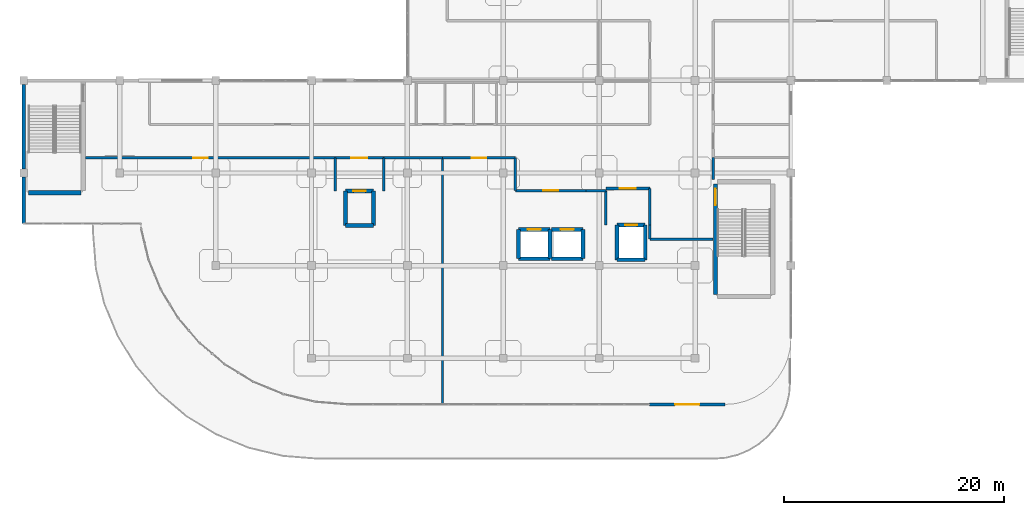
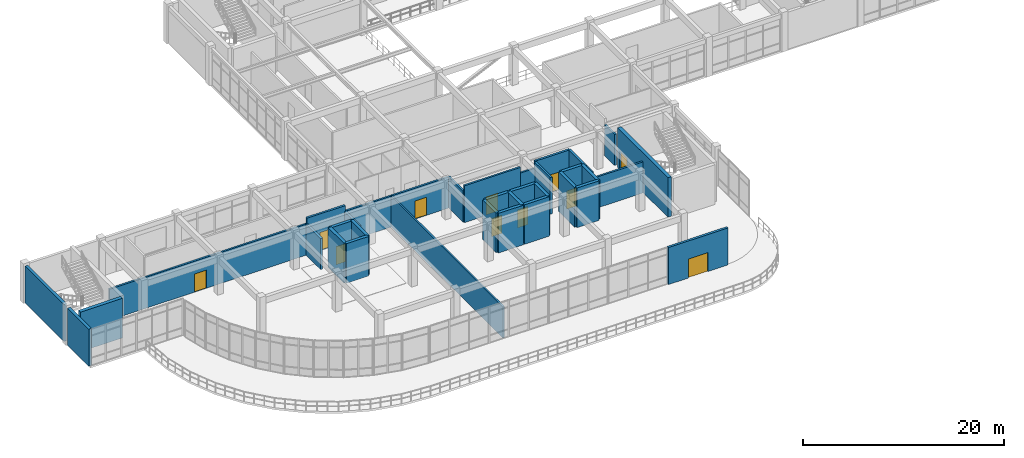
# One storey, part 60 of 76: 36 walls, 11 doors, 11 openings.
"""IFC4 building model written with IfcOpenShell, lengths in metres."""

from ifc_helpers import new_model, si_unit, derived_unit, direction, frame, frame_2d, origin, place, context, subcontext, project, spatial, rectangle, extrude, material, layer, layer_set, type_object, element, fill, save


model = new_model("IFC4")

# Units and contexts
model_context = context("Model", 3, precision=1e-05, world=origin(), true_north=direction((0.0, 1.0)))
body_context = subcontext(model_context, "Body", "Model", "MODEL_VIEW")
ifc_project = project(units=[si_unit("LENGTHUNIT", "METRE"), si_unit("AREAUNIT", "SQUARE_METRE"), si_unit("VOLUMEUNIT", "CUBIC_METRE"), si_unit("PLANEANGLEUNIT", "RADIAN"), si_unit("MASSUNIT", "GRAM", prefix="KILO"), derived_unit("THERMALTRANSMITTANCEUNIT", [(si_unit("MASSUNIT", "GRAM", prefix="KILO"), 1), (si_unit("TIMEUNIT", "SECOND"), -3), (si_unit("THERMODYNAMICTEMPERATUREUNIT", "KELVIN"), -1)])], contexts=[model_context])

# Site, building, storey
site_placement = place(None, origin())
site = spatial("IfcSite", under=ifc_project, at=site_placement, CompositionType="ELEMENT")
building_placement = place(site_placement, origin())
building = spatial("IfcBuilding", under=site, at=building_placement, Name="Qinzheling Arcade Emporium", CompositionType="ELEMENT")
storey_placement = place(building_placement, frame((0.0, 0.0, 26.699951171875)))
storey = spatial("IfcBuildingStorey", under=building, at=storey_placement, Name="L06", CompositionType="ELEMENT", Elevation=26.699951171875)

# Wall, opening, door
ifc_material_1 = material(Name="Double-stud acoustic gypsum board partition")
ifc_layer_1 = layer(ifc_material_1, 0.215087890625, Name="Double-stud acoustic gypsum board partition")
ifc_layer_set_1 = layer_set([ifc_layer_1], Name="Double-stud acoustic gypsum board partition")
wall_type_1 = type_object("IfcWallType", Name="Acoustic Corridor Partition Wall 215", PredefinedType="PARTITIONING", material=ifc_layer_set_1)
wall_1_placement = place(storey_placement, frame((44.60009765625, 32.0, 0.0), z_axis=(0.0, 0.0, 1.0), x_axis=(1.0, 0.0, 0.0)))
wall_1 = element("IfcWall", 1, at=wall_1_placement, inside=storey, type_object=wall_type_1, Name="Interior Wall WL-L06-INT-0798", PredefinedType="PARTITIONING", context=body_context, shape_type="SweptSolid", body=[
    extrude(rectangle(XDim=6.39990234375, YDim=0.215087890625, at=frame_2d((3.199951171875, 0.0))), origin(), (0.0, 0.0, 1.0), 4.4599609375),
])
opening_1_placement = place(wall_1_placement, frame((2.52490234375, 0.0, 0.0)))
opening_1 = element("IfcOpeningElement", 2, at=opening_1_placement, cuts=wall_1, Name="Opening FD05", PredefinedType="OPENING", context=body_context, shape_type="SweptSolid", body=[
    extrude(rectangle(XDim=1.35009765625, YDim=2.199951171875, at=frame_2d((0.675048828125, 1.10009765625))), frame((0.0, 0.11767578125, 0.0), z_axis=(0.0, -1.0, 0.0), x_axis=(1.0, 0.0, 0.0)), (0.0, 0.0, 1.0), 0.235107421875),
])
ifc_material_2 = material(Name="Class B fire-rated stainless-clad door")
door_type_1 = type_object("IfcDoorType", Name="Kitchen Fire-Rated Service Door 1350x2200", OperationType="NOTDEFINED", PredefinedType="DOOR", material=ifc_material_2)
door_1_placement = place(opening_1_placement, origin())
door_1 = element("IfcDoor", 3, at=door_1_placement, inside=storey, type_object=door_type_1, Name="FD05 Interior Door DR-L06-INT-0229", OperationType="SINGLE_SWING_LEFT", OverallHeight=2.199951171875, OverallWidth=1.35009765625, PredefinedType="DOOR", context=body_context, shape_type="SweptSolid", body=[
    extrude(rectangle(XDim=1.35009765625, YDim=2.199951171875, at=frame_2d((0.675048828125, 1.10009765625))), frame((0.0, 0.02490234375, 0.0), z_axis=(0.0, -1.0, 0.0), x_axis=(1.0, 0.0, 0.0)), (0.0, 0.0, 1.0), 0.050048828125),
])
fill(opening_1, door_1)

wall_2_placement = place(storey_placement, frame((28.25, 34.97998046875, 0.0), z_axis=(0.0, 0.0, 1.0), x_axis=(-1.0, 0.0, 0.0)))
wall_2 = element("IfcWall", 4, at=wall_2_placement, inside=storey, type_object=wall_type_1, Name="Interior Wall WL-L06-INT-0833", PredefinedType="PARTITIONING", context=body_context, shape_type="SweptSolid", body=[
    extrude(rectangle(XDim=22.655029296875, YDim=0.215087890625, at=frame_2d((11.32763671875, 0.0))), origin(), (0.0, 0.0, 1.0), 3.760009765625),
])
opening_2_placement = place(wall_2_placement, frame((11.552978515625, 0.0, 0.0)))
opening_2 = element("IfcOpeningElement", 5, at=opening_2_placement, cuts=wall_2, Name="Opening FD05", PredefinedType="OPENING", context=body_context, shape_type="SweptSolid", body=[
    extrude(rectangle(XDim=1.35009765625, YDim=2.199951171875, at=frame_2d((0.675048828125, 1.10009765625))), frame((0.0, 0.11767578125, 0.0), z_axis=(0.0, -1.0, 0.0), x_axis=(1.0, 0.0, 0.0)), (0.0, 0.0, 1.0), 0.235107421875),
])
door_2_placement = place(opening_2_placement, origin())
door_2 = element("IfcDoor", 6, at=door_2_placement, inside=storey, type_object=door_type_1, Name="FD05 Interior Door DR-L06-INT-0239", OperationType="SINGLE_SWING_LEFT", OverallHeight=2.199951171875, OverallWidth=1.35009765625, PredefinedType="DOOR", context=body_context, shape_type="SweptSolid", body=[
    extrude(rectangle(XDim=1.35009765625, YDim=2.199951171875, at=frame_2d((0.675048828125, 1.10009765625))), frame((0.0, 0.02490234375, 0.0), z_axis=(0.0, -1.0, 0.0), x_axis=(1.0, 0.0, 0.0)), (0.0, 0.0, 1.0), 0.050048828125),
])
fill(opening_2, door_2)

# Walls
wall_3_placement = place(storey_placement, frame((38.0, 34.97998046875, 0.0), z_axis=(0.0, 0.0, 1.0), x_axis=(-1.0, 0.0, 0.0)))
element("IfcWall", 7, at=wall_3_placement, inside=storey, type_object=wall_type_1, Name="Interior Wall WL-L06-INT-0834", PredefinedType="PARTITIONING", context=body_context, shape_type="SweptSolid", body=[
    extrude(rectangle(XDim=5.35009765625, YDim=0.215087890625, at=frame_2d((2.675048828125, 0.0))), origin(), (0.0, 0.0, 1.0), 3.760009765625),
])
wall_4_placement = place(storey_placement, frame((44.60009765625, 32.0, 0.0), z_axis=(0.0, 0.0, 1.0), x_axis=(0.0, 1.0, 0.0)))
element("IfcWall", 8, at=wall_4_placement, inside=storey, type_object=wall_type_1, Name="Interior Wall WL-L06-INT-0835", PredefinedType="PARTITIONING", context=body_context, shape_type="SweptSolid", body=[
    extrude(rectangle(XDim=2.97998046875, YDim=0.215087890625, at=frame_2d((1.489990234375, 0.0))), origin(), (0.0, 0.0, 1.0), 3.760009765625),
])

# Wall, opening, door
wall_5_placement = place(storey_placement, frame((44.60009765625, 34.97998046875, 0.0), z_axis=(0.0, 0.0, 1.0), x_axis=(-1.0, 0.0, 0.0)))
wall_5 = element("IfcWall", 9, at=wall_5_placement, inside=storey, type_object=wall_type_1, Name="Interior Wall WL-L06-INT-0836", PredefinedType="PARTITIONING", context=body_context, shape_type="SweptSolid", body=[
    extrude(rectangle(XDim=6.60009765625, YDim=0.215087890625, at=frame_2d((3.300048828125, 0.0))), origin(), (0.0, 0.0, 1.0), 3.760009765625),
])
opening_3_placement = place(wall_5_placement, frame((2.625, 0.0, 0.0)))
opening_3 = element("IfcOpeningElement", 10, at=opening_3_placement, cuts=wall_5, Name="Opening FD05", PredefinedType="OPENING", context=body_context, shape_type="SweptSolid", body=[
    extrude(rectangle(XDim=1.35009765625, YDim=2.199951171875, at=frame_2d((0.675048828125, 1.10009765625))), frame((0.0, 0.11767578125, 0.0), z_axis=(0.0, -1.0, 0.0), x_axis=(1.0, 0.0, 0.0)), (0.0, 0.0, 1.0), 0.235107421875),
])
door_3_placement = place(opening_3_placement, origin())
door_3 = element("IfcDoor", 11, at=door_3_placement, inside=storey, type_object=door_type_1, Name="FD05 Interior Door DR-L06-INT-0240", OperationType="SINGLE_SWING_RIGHT", OverallHeight=2.199951171875, OverallWidth=1.35009765625, PredefinedType="DOOR", context=body_context, shape_type="SweptSolid", body=[
    extrude(rectangle(XDim=1.35009765625, YDim=2.199951171875, at=frame_2d((0.675048828125, 1.10009765625))), frame((0.0, 0.02490234375, 0.0), z_axis=(0.0, -1.0, 0.0), x_axis=(1.0, 0.0, 0.0)), (0.0, 0.0, 1.0), 0.050048828125),
])
fill(opening_3, door_3)

# Walls
wall_6_placement = place(storey_placement, frame((52.800048828125, 32.0, 0.0), z_axis=(0.0, 0.0, 1.0), x_axis=(-1.0, 0.0, 0.0)))
element("IfcWall", 12, at=wall_6_placement, inside=storey, type_object=wall_type_1, Name="Interior Wall WL-L06-INT-0837", PredefinedType="PARTITIONING", context=body_context, shape_type="SweptSolid", body=[
    extrude(rectangle(XDim=1.800048828125, YDim=0.215087890625, at=frame_2d((0.89990234375, 0.0))), origin(), (0.0, 0.0, 1.0), 3.760009765625),
])
wall_7_placement = place(storey_placement, frame((62.544921875, 27.60009765625, 0.0), z_axis=(0.0, 0.0, 1.0), x_axis=(-1.0, 0.0, 0.0)))
element("IfcWall", 13, at=wall_7_placement, inside=storey, type_object=wall_type_1, Name="Interior Wall WL-L06-INT-0838", PredefinedType="PARTITIONING", context=body_context, shape_type="SweptSolid", body=[
    extrude(rectangle(XDim=5.744873046875, YDim=0.215087890625, at=frame_2d((2.87255859375, 0.0))), origin(), (0.0, 0.0, 1.0), 3.760009765625),
])
wall_8_placement = place(storey_placement, frame((56.800048828125, 27.60009765625, 0.0), z_axis=(0.0, 0.0, 1.0), x_axis=(0.0, 1.0, 0.0)))
element("IfcWall", 14, at=wall_8_placement, inside=storey, type_object=wall_type_1, Name="Interior Wall WL-L06-INT-0839", PredefinedType="PARTITIONING", context=body_context, shape_type="SweptSolid", body=[
    extrude(rectangle(XDim=1.27978515625, YDim=0.215087890625, at=frame_2d((0.639892578125, 0.0))), origin(), (0.0, 0.0, 1.0), 4.4599609375),
])
wall_9_placement = place(storey_placement, frame((62.550048828125, 35.0, 0.0), z_axis=(0.0, 0.0, 1.0), x_axis=(0.0, -1.0, 0.0)))
element("IfcWall", 15, at=wall_9_placement, inside=storey, type_object=wall_type_1, Name="Interior Wall WL-L06-INT-0840", PredefinedType="PARTITIONING", context=body_context, shape_type="SweptSolid", body=[
    extrude(rectangle(XDim=2.0, YDim=0.215087890625, at=frame_2d((1.0, 0.0))), origin(), (0.0, 0.0, 1.0), 3.760009765625),
])

# Wall, opening, door
ifc_material_3 = material(Name="Insulated aluminium-clad spandrel wall", Category="aluminium")
ifc_layer_2 = layer(ifc_material_3, 0.260009765625, Name="Insulated aluminium-clad spandrel wall", Category="aluminium")
ifc_layer_set_2 = layer_set([ifc_layer_2], Name="Insulated aluminium-clad spandrel wall")
wall_type_2 = type_object("IfcWallType", Name="Arcade Clerestory Spandrel Wall 260", PredefinedType="STANDARD", material=ifc_layer_set_2)
wall_10_placement = place(storey_placement, frame((63.60009765625, 12.60009765625, 0.0), z_axis=(0.0, 0.0, 1.0), x_axis=(-1.0, 0.0, 0.0)))
wall_10 = element("IfcWall", 16, at=wall_10_placement, inside=storey, type_object=wall_type_2, Name="Exterior Wall WL-L06-EW-0302", PredefinedType="STANDARD", context=body_context, shape_type="SweptSolid", body=[
    extrude(rectangle(XDim=6.838134765625, YDim=0.260009765625, at=frame_2d((3.4189453125, 0.0))), origin(), (0.0, 0.0, 1.0), 4.489990234375),
])
opening_4_placement = place(wall_10_placement, frame((2.319091796875, 0.0, 0.0)))
opening_4 = element("IfcOpeningElement", 17, at=opening_4_placement, cuts=wall_10, Name="Opening TD01", PredefinedType="OPENING", context=body_context, shape_type="SweptSolid", body=[
    extrude(rectangle(XDim=2.199951171875, YDim=2.300048828125, at=frame_2d((1.10009765625, 1.14990234375))), frame((0.0, 0.14013671875, 0.0), z_axis=(0.0, -1.0, 0.0), x_axis=(1.0, 0.0, 0.0)), (0.0, 0.0, 1.0), 0.280029296875),
])
ifc_material_4 = material(Name="Thermally broken aluminium and double glass", Category="aluminium")
door_type_2 = type_object("IfcDoorType", Name="Curved Sales Terrace Double Door 2200x2300", OperationType="DOUBLE_DOOR_SINGLE_SWING", PredefinedType="DOOR", material=ifc_material_4)
door_4_placement = place(opening_4_placement, origin())
door_4 = element("IfcDoor", 18, at=door_4_placement, inside=storey, type_object=door_type_2, Name="TD01 Exterior Door DR-L06-EXT-039", OperationType="DOUBLE_DOOR_SINGLE_SWING", OverallHeight=2.300048828125, OverallWidth=2.199951171875, PredefinedType="DOOR", context=body_context, shape_type="SweptSolid", body=[
    extrude(rectangle(XDim=2.199951171875, YDim=2.300048828125, at=frame_2d((1.10009765625, 1.14990234375))), frame((0.0, 0.02490234375, 0.0), z_axis=(0.0, -1.0, 0.0), x_axis=(1.0, 0.0, 0.0)), (0.0, 0.0, 1.0), 0.050048828125),
])
fill(opening_4, door_4)

# Walls
ifc_material_5 = material(Name="Celadon glazed terracotta insulated spandrel", Category="masonry")
ifc_layer_3 = layer(ifc_material_5, 0.340087890625, Name="Celadon glazed terracotta insulated spandrel", Category="masonry")
ifc_layer_set_3 = layer_set([ifc_layer_3], Name="Celadon glazed terracotta insulated spandrel")
wall_type_3 = type_object("IfcWallType", Name="Celadon Spandrel Infill Wall 340", PredefinedType="STANDARD", material=ifc_layer_set_3)
wall_11_placement = place(storey_placement, frame((0.0, 29.0, 0.0), z_axis=(0.0, 0.0, 1.0), x_axis=(0.0, 1.0, 0.0)))
element("IfcWall", 19, at=wall_11_placement, inside=storey, type_object=wall_type_3, Name="Exterior Wall WL-L06-EW-0303", PredefinedType="STANDARD", context=body_context, shape_type="SweptSolid", body=[
    extrude(rectangle(XDim=4.248046875, YDim=0.340087890625, at=frame_2d((2.1240234375, 0.0))), origin(), (0.0, 0.0, 1.0), 4.489990234375),
])
ifc_material_6 = material(Name="Glazed cream terracotta insulated wall", Category="masonry")
ifc_layer_4 = layer(ifc_material_6, 0.320068359375, Name="Glazed cream terracotta insulated wall", Category="masonry")
ifc_layer_set_4 = layer_set([ifc_layer_4], Name="Glazed cream terracotta insulated wall")
wall_type_4 = type_object("IfcWallType", Name="Chicago Frame Infill Wall 320", PredefinedType="STANDARD", material=ifc_layer_set_4)
wall_12_placement = place(storey_placement, frame((0.0, 33.951904296875, 0.0), z_axis=(0.0, 0.0, 1.0), x_axis=(0.0, 1.0, 0.0)))
element("IfcWall", 20, at=wall_12_placement, inside=storey, type_object=wall_type_4, Name="Exterior Wall WL-L06-EW-0304", PredefinedType="STANDARD", context=body_context, shape_type="SweptSolid", body=[
    extrude(rectangle(XDim=7.696044921875, YDim=0.320068359375, at=frame_2d((3.84814453125, 0.0))), origin(), (0.0, 0.0, 1.0), 4.489990234375),
])

# Wall, opening, door
ifc_material_7 = material(Name="Fire-rated double-stud gypsum and mineral wool wall")
ifc_layer_5 = layer(ifc_material_7, 0.2451171875, Name="Fire-rated double-stud gypsum and mineral wool wall")
ifc_layer_set_5 = layer_set([ifc_layer_5], Name="Fire-rated double-stud gypsum and mineral wool wall")
wall_type_5 = type_object("IfcWallType", Name="Firefighting Lobby Rated Wall 245", PredefinedType="STANDARD", material=ifc_layer_set_5)
wall_13_placement = place(storey_placement, frame((52.800048828125, 32.199951171875, 0.0), z_axis=(0.0, 0.0, 1.0), x_axis=(1.0, 0.0, 0.0)))
wall_13 = element("IfcWall", 21, at=wall_13_placement, inside=storey, type_object=wall_type_5, Name="Interior Wall WL-L06-INT-0789", PredefinedType="STANDARD", context=body_context, shape_type="SweptSolid", body=[
    extrude(rectangle(XDim=4.0, YDim=0.2451171875, at=frame_2d((2.0, 0.0))), origin(), (0.0, 0.0, 1.0), 4.4599609375),
])
opening_5_placement = place(wall_13_placement, frame((1.27490234375, 0.0, 0.0)))
opening_5 = element("IfcOpeningElement", 22, at=opening_5_placement, cuts=wall_13, Name="Opening FD02", PredefinedType="OPENING", context=body_context, shape_type="SweptSolid", body=[
    extrude(rectangle(XDim=1.449951171875, YDim=2.199951171875, at=frame_2d((0.72509765625, 1.10009765625))), frame((0.0, 0.132568359375, 0.0), z_axis=(0.0, -1.0, 0.0), x_axis=(1.0, 0.0, 0.0)), (0.0, 0.0, 1.0), 0.26513671875),
])
ifc_material_8 = material(Name="Class A fire-rated steel double door", Category="steel")
door_type_3 = type_object("IfcDoorType", Name="Firefighting Lobby Fire Door 1450x2200", OperationType="DOUBLE_DOOR_SINGLE_SWING", PredefinedType="DOOR", material=ifc_material_8)
door_5_placement = place(opening_5_placement, origin())
door_5 = element("IfcDoor", 23, at=door_5_placement, inside=storey, type_object=door_type_3, Name="FD02 Interior Door DR-L06-INT-0226", OperationType="DOUBLE_DOOR_SINGLE_SWING", OverallHeight=2.199951171875, OverallWidth=1.449951171875, PredefinedType="DOOR", context=body_context, shape_type="SweptSolid", body=[
    extrude(rectangle(XDim=1.449951171875, YDim=2.199951171875, at=frame_2d((0.72509765625, 1.10009765625))), frame((0.0, 0.02490234375, 0.0), z_axis=(0.0, -1.0, 0.0), x_axis=(1.0, 0.0, 0.0)), (0.0, 0.0, 1.0), 0.050048828125),
])
fill(opening_5, door_5)

# Walls
wall_14_placement = place(storey_placement, frame((56.800048828125, 32.199951171875, 0.0), z_axis=(0.0, 0.0, 1.0), x_axis=(0.0, -1.0, 0.0)))
element("IfcWall", 24, at=wall_14_placement, inside=storey, type_object=wall_type_5, Name="Interior Wall WL-L06-INT-0790", PredefinedType="STANDARD", context=body_context, shape_type="SweptSolid", body=[
    extrude(rectangle(XDim=3.320068359375, YDim=0.2451171875, at=frame_2d((1.66015625, 0.0))), origin(), (0.0, 0.0, 1.0), 4.4599609375),
])
wall_15_placement = place(storey_placement, frame((52.800048828125, 28.8798828125, 0.0), z_axis=(0.0, 0.0, 1.0), x_axis=(0.0, 1.0, 0.0)))
element("IfcWall", 25, at=wall_15_placement, inside=storey, type_object=wall_type_5, Name="Interior Wall WL-L06-INT-0791", PredefinedType="STANDARD", context=body_context, shape_type="SweptSolid", body=[
    extrude(rectangle(XDim=3.1201171875, YDim=0.2451171875, at=frame_2d((1.56005859375, 0.0))), origin(), (0.0, 0.0, 1.0), 4.4599609375),
])

# Wall, opening, door
wall_16_placement = place(storey_placement, frame((28.25, 34.97998046875, 0.0), z_axis=(0.0, 0.0, 1.0), x_axis=(1.0, 0.0, 0.0)))
wall_16 = element("IfcWall", 26, at=wall_16_placement, inside=storey, type_object=wall_type_5, Name="Interior Wall WL-L06-INT-0792", PredefinedType="STANDARD", context=body_context, shape_type="SweptSolid", body=[
    extrude(rectangle(XDim=4.39990234375, YDim=0.2451171875, at=frame_2d((2.199951171875, 0.0))), origin(), (0.0, 0.0, 1.0), 4.4599609375),
])
opening_6_placement = place(wall_16_placement, frame((1.47509765625, 0.0, 0.0)))
opening_6 = element("IfcOpeningElement", 27, at=opening_6_placement, cuts=wall_16, Name="Opening FD02", PredefinedType="OPENING", context=body_context, shape_type="SweptSolid", body=[
    extrude(rectangle(XDim=1.449951171875, YDim=2.199951171875, at=frame_2d((0.72509765625, 1.10009765625))), frame((0.0, 0.132568359375, 0.0), z_axis=(0.0, -1.0, 0.0), x_axis=(1.0, 0.0, 0.0)), (0.0, 0.0, 1.0), 0.26513671875),
])
door_6_placement = place(opening_6_placement, origin())
door_6 = element("IfcDoor", 28, at=door_6_placement, inside=storey, type_object=door_type_3, Name="FD02 Interior Door DR-L06-INT-0227", OperationType="DOUBLE_DOOR_SINGLE_SWING", OverallHeight=2.199951171875, OverallWidth=1.449951171875, PredefinedType="DOOR", context=body_context, shape_type="SweptSolid", body=[
    extrude(rectangle(XDim=1.449951171875, YDim=2.199951171875, at=frame_2d((0.72509765625, 1.10009765625))), frame((0.0, 0.02490234375, 0.0), z_axis=(0.0, -1.0, 0.0), x_axis=(1.0, 0.0, 0.0)), (0.0, 0.0, 1.0), 0.050048828125),
])
fill(opening_6, door_6)

# Walls
for number, where, z_axis, x_axis, name in (
    (29, (28.25, 31.97998046875, 0.0), (0.0, 0.0, 1.0), (0.0, 1.0, 0.0), "Interior Wall WL-L06-INT-0793"),
    (30, (32.64990234375, 34.97998046875, 0.0), (0.0, 0.0, 1.0), (0.0, -1.0, 0.0), "Interior Wall WL-L06-INT-0794"),
):
    element("IfcWall", number, at=place(storey_placement, frame(where, z_axis=z_axis, x_axis=x_axis)), inside=storey, type_object=wall_type_5, Name=name, PredefinedType="STANDARD", context=body_context, shape_type="SweptSolid", body=[
        extrude(rectangle(XDim=3.0, YDim=0.2451171875, at=frame_2d((1.5, 0.0))), origin(), (0.0, 0.0, 1.0), 3.760009765625),
    ])
ifc_material_9 = material(Name="Ceramic-tiled cement-board partition")
ifc_layer_6 = layer(ifc_material_9, 0.18505859375, Name="Ceramic-tiled cement-board partition")
ifc_layer_set_6 = layer_set([ifc_layer_6], Name="Ceramic-tiled cement-board partition")
wall_type_6 = type_object("IfcWallType", Name="Food Hall Kitchen Partition Wall 185", PredefinedType="PARTITIONING", material=ifc_layer_set_6)
wall_17_placement = place(storey_placement, frame((38.0, 34.97998046875, 0.0), z_axis=(0.0, 0.0, 1.0), x_axis=(0.0, -1.0, 0.0)))
element("IfcWall", 31, at=wall_17_placement, inside=storey, type_object=wall_type_6, Name="Interior Wall WL-L06-INT-0871", PredefinedType="PARTITIONING", context=body_context, shape_type="SweptSolid", body=[
    extrude(rectangle(XDim=22.280029296875, YDim=0.18505859375, at=frame_2d((11.14013671875, 0.0))), origin(), (0.0, 0.0, 1.0), 3.760009765625),
])

# Wall, opening, door
ifc_material_10 = material(Name="Concrete C40", Category="concrete")
ifc_layer_7 = layer(ifc_material_10, 0.35009765625, Name="Concrete C40", Category="concrete")
ifc_layer_set_7 = layer_set([ifc_layer_7], Name="Concrete C40")
wall_type_7 = type_object("IfcWallType", Name="RC Lift Shaft Shear Wall 350 C40", PredefinedType="SHEAR", material=ifc_layer_set_7)
wall_18_placement = place(storey_placement, frame((53.824951171875, 28.875, 0.0), z_axis=(0.0, 0.0, 1.0), x_axis=(1.0, 0.0, 0.0)))
wall_18 = element("IfcWall", 32, at=wall_18_placement, inside=storey, type_object=wall_type_7, Name="Lift Shaft Wall WL-L06-LFT-LF01-N", PredefinedType="SHEAR", context=body_context, shape_type="SweptSolid", body=[
    extrude(rectangle(XDim=2.550048828125, YDim=0.35009765625, at=frame_2d((1.27490234375, 0.0))), origin(), (0.0, 0.0, 1.0), 4.800048828125),
])
opening_7_placement = place(wall_18_placement, frame((0.72509765625, 0.0, 0.0)))
opening_7 = element("IfcOpeningElement", 33, at=opening_7_placement, cuts=wall_18, Name="Opening LD01", PredefinedType="OPENING", context=body_context, shape_type="SweptSolid", body=[
    extrude(rectangle(XDim=1.10009765625, YDim=2.199951171875, at=frame_2d((0.550048828125, 1.10009765625))), frame((0.0, 0.18505859375, 0.0), z_axis=(0.0, -1.0, 0.0), x_axis=(1.0, 0.0, 0.0)), (0.0, 0.0, 1.0), 0.3701171875),
])
ifc_material_11 = material(Name="Fire-rated stainless steel sliding lift door", Category="steel")
door_type_4 = type_object("IfcDoorType", Name="Firefighting Lift Sliding Landing Door 1100x2200", OperationType="DOUBLE_DOOR_SLIDING", PredefinedType="DOOR", material=ifc_material_11)
door_7_placement = place(opening_7_placement, origin())
door_7 = element("IfcDoor", 34, at=door_7_placement, inside=storey, type_object=door_type_4, Name="LD01 Lift Landing Door LF01 L06", OperationType="DOUBLE_DOOR_SLIDING", OverallHeight=2.199951171875, OverallWidth=1.10009765625, PredefinedType="DOOR", context=body_context, shape_type="SweptSolid", body=[
    extrude(rectangle(XDim=1.10009765625, YDim=2.199951171875, at=frame_2d((0.550048828125, 1.10009765625))), frame((0.0, 0.02490234375, 0.0), z_axis=(0.0, -1.0, 0.0), x_axis=(1.0, 0.0, 0.0)), (0.0, 0.0, 1.0), 0.050048828125),
])
fill(opening_7, door_7)

# Walls
wall_19_placement = place(storey_placement, frame((56.375, 25.72509765625, 0.0), z_axis=(0.0, 0.0, 1.0), x_axis=(-1.0, 0.0, 0.0)))
element("IfcWall", 35, at=wall_19_placement, inside=storey, type_object=wall_type_7, Name="Lift Shaft Wall WL-L06-LFT-LF01-S", PredefinedType="SHEAR", context=body_context, shape_type="SweptSolid", body=[
    extrude(rectangle(XDim=2.550048828125, YDim=0.35009765625, at=frame_2d((1.27490234375, 0.0))), origin(), (0.0, 0.0, 1.0), 4.800048828125),
])
for number, where, z_axis, x_axis, name in (
    (36, (53.824951171875, 25.72509765625, 0.0), (0.0, 0.0, 1.0), (0.0, 1.0, 0.0), "Lift Shaft Wall WL-L06-LFT-LF01-W"),
    (37, (56.375, 28.875, 0.0), (0.0, 0.0, 1.0), (0.0, -1.0, 0.0), "Lift Shaft Wall WL-L06-LFT-LF01-E"),
):
    element("IfcWall", number, at=place(storey_placement, frame(where, z_axis=z_axis, x_axis=x_axis)), inside=storey, type_object=wall_type_7, Name=name, PredefinedType="SHEAR", context=body_context, shape_type="SweptSolid", body=[
        extrude(rectangle(XDim=3.14990234375, YDim=0.35009765625, at=frame_2d((1.574951171875, 0.0))), origin(), (0.0, 0.0, 1.0), 4.800048828125),
    ])

# Wall, opening, door
wall_20_placement = place(storey_placement, frame((29.175048828125, 31.97509765625, 0.0), z_axis=(0.0, 0.0, 1.0), x_axis=(1.0, 0.0, 0.0)))
wall_20 = element("IfcWall", 38, at=wall_20_placement, inside=storey, type_object=wall_type_7, Name="Lift Shaft Wall WL-L06-LFT-LF02-N", PredefinedType="SHEAR", context=body_context, shape_type="SweptSolid", body=[
    extrude(rectangle(XDim=2.550048828125, YDim=0.35009765625, at=frame_2d((1.27490234375, 0.0))), origin(), (0.0, 0.0, 1.0), 4.800048828125),
])
opening_8_placement = place(wall_20_placement, frame((0.72509765625, 0.0, 0.0)))
opening_8 = element("IfcOpeningElement", 39, at=opening_8_placement, cuts=wall_20, Name="Opening LD01", PredefinedType="OPENING", context=body_context, shape_type="SweptSolid", body=[
    extrude(rectangle(XDim=1.10009765625, YDim=2.199951171875, at=frame_2d((0.550048828125, 1.10009765625))), frame((0.0, 0.18505859375, 0.0), z_axis=(0.0, -1.0, 0.0), x_axis=(1.0, 0.0, 0.0)), (0.0, 0.0, 1.0), 0.3701171875),
])
door_8_placement = place(opening_8_placement, origin())
door_8 = element("IfcDoor", 40, at=door_8_placement, inside=storey, type_object=door_type_4, Name="LD01 Lift Landing Door LF02 L06", OperationType="DOUBLE_DOOR_SLIDING", OverallHeight=2.199951171875, OverallWidth=1.10009765625, PredefinedType="DOOR", context=body_context, shape_type="SweptSolid", body=[
    extrude(rectangle(XDim=1.10009765625, YDim=2.199951171875, at=frame_2d((0.550048828125, 1.10009765625))), frame((0.0, 0.02490234375, 0.0), z_axis=(0.0, -1.0, 0.0), x_axis=(1.0, 0.0, 0.0)), (0.0, 0.0, 1.0), 0.050048828125),
])
fill(opening_8, door_8)

# Walls
wall_21_placement = place(storey_placement, frame((31.72509765625, 28.824951171875, 0.0), z_axis=(0.0, 0.0, 1.0), x_axis=(-1.0, 0.0, 0.0)))
element("IfcWall", 41, at=wall_21_placement, inside=storey, type_object=wall_type_7, Name="Lift Shaft Wall WL-L06-LFT-LF02-S", PredefinedType="SHEAR", context=body_context, shape_type="SweptSolid", body=[
    extrude(rectangle(XDim=2.550048828125, YDim=0.35009765625, at=frame_2d((1.27490234375, 0.0))), origin(), (0.0, 0.0, 1.0), 4.800048828125),
])
for number, where, z_axis, x_axis, name in (
    (42, (29.175048828125, 28.824951171875, 0.0), (0.0, 0.0, 1.0), (0.0, 1.0, 0.0), "Lift Shaft Wall WL-L06-LFT-LF02-W"),
    (43, (31.72509765625, 31.97509765625, 0.0), (0.0, 0.0, 1.0), (0.0, -1.0, 0.0), "Lift Shaft Wall WL-L06-LFT-LF02-E"),
):
    element("IfcWall", number, at=place(storey_placement, frame(where, z_axis=z_axis, x_axis=x_axis)), inside=storey, type_object=wall_type_7, Name=name, PredefinedType="SHEAR", context=body_context, shape_type="SweptSolid", body=[
        extrude(rectangle(XDim=3.150146484375, YDim=0.35009765625, at=frame_2d((1.5751953125, 0.0))), origin(), (0.0, 0.0, 1.0), 4.800048828125),
    ])

# Wall, opening, door
wall_22_placement = place(storey_placement, frame((44.875, 28.47509765625, 0.0), z_axis=(0.0, 0.0, 1.0), x_axis=(1.0, 0.0, 0.0)))
wall_22 = element("IfcWall", 44, at=wall_22_placement, inside=storey, type_object=wall_type_7, Name="Lift Shaft Wall WL-L06-LFT-LP01-N", PredefinedType="SHEAR", context=body_context, shape_type="SweptSolid", body=[
    extrude(rectangle(XDim=2.85009765625, YDim=0.35009765625, at=frame_2d((1.425048828125, 0.0))), origin(), (0.0, 0.0, 1.0), 4.800048828125),
])
opening_9_placement = place(wall_22_placement, frame((0.824951171875, 0.0, 0.0)))
opening_9 = element("IfcOpeningElement", 45, at=opening_9_placement, cuts=wall_22, Name="Opening LD02", PredefinedType="OPENING", context=body_context, shape_type="SweptSolid", body=[
    extrude(rectangle(XDim=1.199951171875, YDim=2.199951171875, at=frame_2d((0.60009765625, 1.10009765625))), frame((0.0, 0.18505859375, 0.0), z_axis=(0.0, -1.0, 0.0), x_axis=(1.0, 0.0, 0.0)), (0.0, 0.0, 1.0), 0.3701171875),
])
ifc_material_12 = material(Name="Brushed bronze stainless sliding lift door")
door_type_5 = type_object("IfcDoorType", Name="Passenger Lift Sliding Landing Door 1200x2200", OperationType="DOUBLE_DOOR_SLIDING", PredefinedType="DOOR", material=ifc_material_12)
door_9_placement = place(opening_9_placement, origin())
door_9 = element("IfcDoor", 46, at=door_9_placement, inside=storey, type_object=door_type_5, Name="LD02 Lift Landing Door LP01 L06", OperationType="DOUBLE_DOOR_SLIDING", OverallHeight=2.199951171875, OverallWidth=1.199951171875, PredefinedType="DOOR", context=body_context, shape_type="SweptSolid", body=[
    extrude(rectangle(XDim=1.199951171875, YDim=2.199951171875, at=frame_2d((0.60009765625, 1.10009765625))), frame((0.0, 0.02490234375, 0.0), z_axis=(0.0, -1.0, 0.0), x_axis=(1.0, 0.0, 0.0)), (0.0, 0.0, 1.0), 0.050048828125),
])
fill(opening_9, door_9)

# Walls
wall_23_placement = place(storey_placement, frame((47.72509765625, 25.824951171875, 0.0), z_axis=(0.0, 0.0, 1.0), x_axis=(-1.0, 0.0, 0.0)))
element("IfcWall", 47, at=wall_23_placement, inside=storey, type_object=wall_type_7, Name="Lift Shaft Wall WL-L06-LFT-LP01-S", PredefinedType="SHEAR", context=body_context, shape_type="SweptSolid", body=[
    extrude(rectangle(XDim=2.85009765625, YDim=0.35009765625, at=frame_2d((1.425048828125, 0.0))), origin(), (0.0, 0.0, 1.0), 4.800048828125),
])
for number, where, z_axis, x_axis, name in (
    (48, (44.875, 25.824951171875, 0.0), (0.0, 0.0, 1.0), (0.0, 1.0, 0.0), "Lift Shaft Wall WL-L06-LFT-LP01-W"),
    (49, (47.72509765625, 28.47509765625, 0.0), (0.0, 0.0, 1.0), (0.0, -1.0, 0.0), "Lift Shaft Wall WL-L06-LFT-LP01-E"),
):
    element("IfcWall", number, at=place(storey_placement, frame(where, z_axis=z_axis, x_axis=x_axis)), inside=storey, type_object=wall_type_7, Name=name, PredefinedType="SHEAR", context=body_context, shape_type="SweptSolid", body=[
        extrude(rectangle(XDim=2.650146484375, YDim=0.35009765625, at=frame_2d((1.3251953125, 0.0))), origin(), (0.0, 0.0, 1.0), 4.800048828125),
    ])

# Wall, opening, door
wall_24_placement = place(storey_placement, frame((47.875, 28.47509765625, 0.0), z_axis=(0.0, 0.0, 1.0), x_axis=(1.0, 0.0, 0.0)))
wall_24 = element("IfcWall", 50, at=wall_24_placement, inside=storey, type_object=wall_type_7, Name="Lift Shaft Wall WL-L06-LFT-LP02-N", PredefinedType="SHEAR", context=body_context, shape_type="SweptSolid", body=[
    extrude(rectangle(XDim=2.85009765625, YDim=0.35009765625, at=frame_2d((1.425048828125, 0.0))), origin(), (0.0, 0.0, 1.0), 4.800048828125),
])
opening_10_placement = place(wall_24_placement, frame((0.824951171875, 0.0, 0.0)))
opening_10 = element("IfcOpeningElement", 51, at=opening_10_placement, cuts=wall_24, Name="Opening LD02", PredefinedType="OPENING", context=body_context, shape_type="SweptSolid", body=[
    extrude(rectangle(XDim=1.199951171875, YDim=2.199951171875, at=frame_2d((0.60009765625, 1.10009765625))), frame((0.0, 0.18505859375, 0.0), z_axis=(0.0, -1.0, 0.0), x_axis=(1.0, 0.0, 0.0)), (0.0, 0.0, 1.0), 0.3701171875),
])
door_10_placement = place(opening_10_placement, origin())
door_10 = element("IfcDoor", 52, at=door_10_placement, inside=storey, type_object=door_type_5, Name="LD02 Lift Landing Door LP02 L06", OperationType="DOUBLE_DOOR_SLIDING", OverallHeight=2.199951171875, OverallWidth=1.199951171875, PredefinedType="DOOR", context=body_context, shape_type="SweptSolid", body=[
    extrude(rectangle(XDim=1.199951171875, YDim=2.199951171875, at=frame_2d((0.60009765625, 1.10009765625))), frame((0.0, 0.02490234375, 0.0), z_axis=(0.0, -1.0, 0.0), x_axis=(1.0, 0.0, 0.0)), (0.0, 0.0, 1.0), 0.050048828125),
])
fill(opening_10, door_10)

# Walls
wall_25_placement = place(storey_placement, frame((50.72509765625, 25.824951171875, 0.0), z_axis=(0.0, 0.0, 1.0), x_axis=(-1.0, 0.0, 0.0)))
element("IfcWall", 53, at=wall_25_placement, inside=storey, type_object=wall_type_7, Name="Lift Shaft Wall WL-L06-LFT-LP02-S", PredefinedType="SHEAR", context=body_context, shape_type="SweptSolid", body=[
    extrude(rectangle(XDim=2.85009765625, YDim=0.35009765625, at=frame_2d((1.425048828125, 0.0))), origin(), (0.0, 0.0, 1.0), 4.800048828125),
])
wall_26_placement = place(storey_placement, frame((50.72509765625, 28.47509765625, 0.0), z_axis=(0.0, 0.0, 1.0), x_axis=(0.0, -1.0, 0.0)))
element("IfcWall", 54, at=wall_26_placement, inside=storey, type_object=wall_type_7, Name="Lift Shaft Wall WL-L06-LFT-LP02-E", PredefinedType="SHEAR", context=body_context, shape_type="SweptSolid", body=[
    extrude(rectangle(XDim=2.650146484375, YDim=0.35009765625, at=frame_2d((1.3251953125, 0.0))), origin(), (0.0, 0.0, 1.0), 4.800048828125),
])

# Wall, opening, door
ifc_material_13 = material(Name="Concrete C50", Category="concrete")
ifc_layer_8 = layer(ifc_material_13, 0.39990234375, Name="Concrete C50", Category="concrete")
ifc_layer_set_8 = layer_set([ifc_layer_8], Name="Concrete C50")
wall_type_8 = type_object("IfcWallType", Name="RC Stair Core Shear Wall 400 C50", PredefinedType="SHEAR", material=ifc_layer_set_8)
wall_27_placement = place(storey_placement, frame((62.75, 22.60009765625, 0.0), z_axis=(0.0, 0.0, 1.0), x_axis=(0.0, 1.0, 0.0)))
wall_27 = element("IfcWall", 55, at=wall_27_placement, inside=storey, type_object=wall_type_8, Name="Stair Core Wall WL-L06-ST01-WEST", PredefinedType="SHEAR", context=body_context, shape_type="SweptSolid", body=[
    extrude(rectangle(XDim=10.0, YDim=0.39990234375, at=frame_2d((5.0, 0.0))), origin(), (0.0, 0.0, 1.0), 4.800048828125),
])
opening_11_placement = place(wall_27_placement, frame((8.090087890625, 0.0, 0.0)))
opening_11 = element("IfcOpeningElement", 56, at=opening_11_placement, cuts=wall_27, Name="Opening FD01", PredefinedType="OPENING", context=body_context, shape_type="SweptSolid", body=[
    extrude(rectangle(XDim=1.5, YDim=2.199951171875, at=frame_2d((0.75, 1.10009765625))), frame((0.0, 0.2099609375, 0.0), z_axis=(0.0, -1.0, 0.0), x_axis=(1.0, 0.0, 0.0)), (0.0, 0.0, 1.0), 0.419921875),
])
door_type_6 = type_object("IfcDoorType", Name="Stairwell Smoke-Proof Fire Door 1500x2200", OperationType="DOUBLE_DOOR_SINGLE_SWING", PredefinedType="DOOR", material=ifc_material_8)
door_11_placement = place(opening_11_placement, origin())
door_11 = element("IfcDoor", 57, at=door_11_placement, inside=storey, type_object=door_type_6, Name="FD01 Stairwell Fire Door DR-L06-ST01-FD", OperationType="DOUBLE_DOOR_SINGLE_SWING", OverallHeight=2.199951171875, OverallWidth=1.5, PredefinedType="DOOR", context=body_context, shape_type="SweptSolid", body=[
    extrude(rectangle(XDim=1.5, YDim=2.199951171875, at=frame_2d((0.75, 1.10009765625))), frame((0.0, 0.02490234375, 0.0), z_axis=(0.0, -1.0, 0.0), x_axis=(1.0, 0.0, 0.0)), (0.0, 0.0, 1.0), 0.050048828125),
])
fill(opening_11, door_11)

# Wall
wall_28_placement = place(storey_placement, frame((5.18994140625, 31.800048828125, 0.0), z_axis=(0.0, 0.0, 1.0), x_axis=(-1.0, 0.0, 0.0)))
element("IfcWall", 58, at=wall_28_placement, inside=storey, type_object=wall_type_8, Name="Stair Core Wall WL-L06-ST02-SOUTH", PredefinedType="SHEAR", context=body_context, shape_type="SweptSolid", body=[
    extrude(rectangle(XDim=4.7900390625, YDim=0.39990234375, at=frame_2d((2.39501953125, 0.0))), origin(), (0.0, 0.0, 1.0), 4.800048828125),
])

save(model, "model.ifc")
